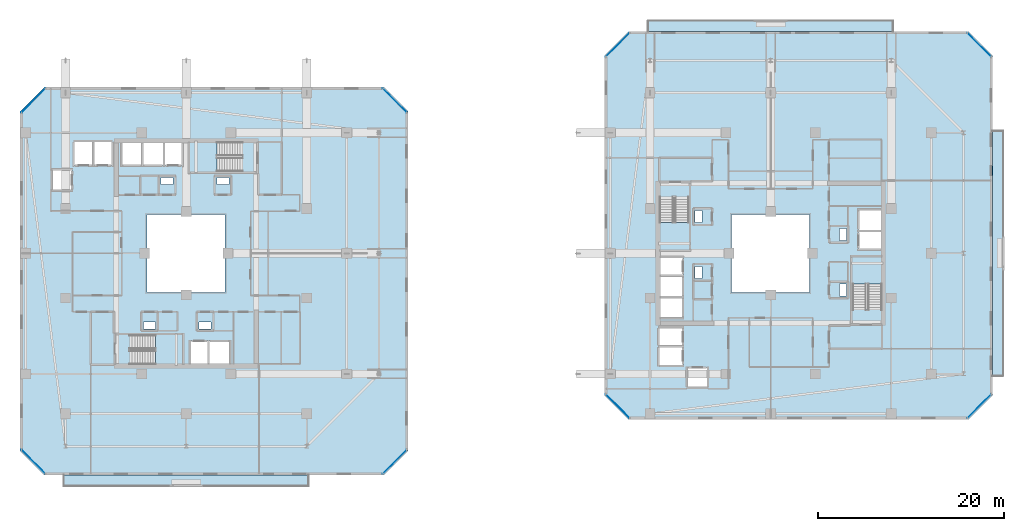
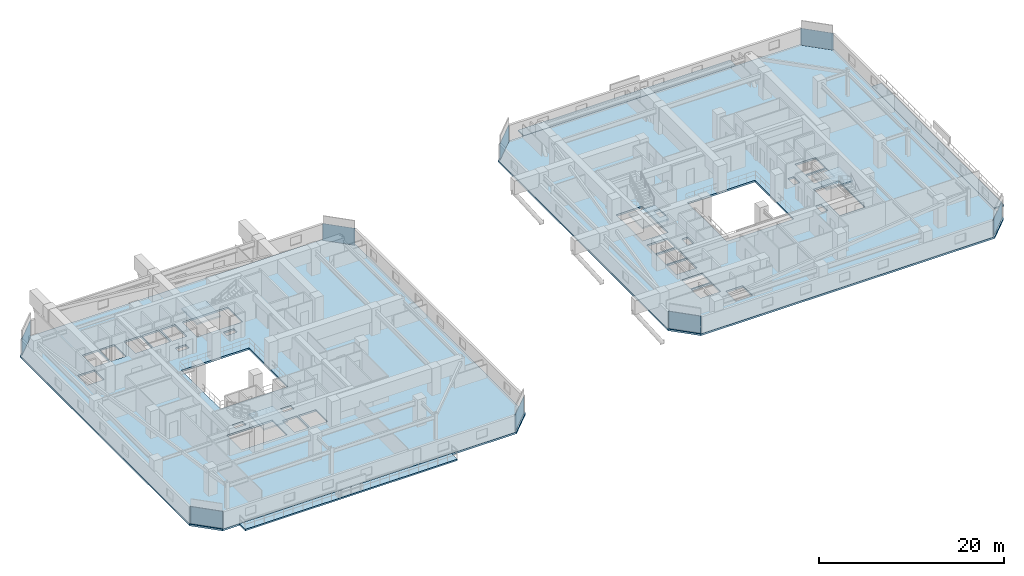
# One storey, part 18 of 36: 9 slabs, 8 plates, 12 elements without a shape of their own.
"""IFC4 building model written with IfcOpenShell, lengths in metres."""

import ifcopenshell
import ifcopenshell.guid

model = None  # the IFC model being written
_history = None  # IfcOwnerHistory: only IFC2X3 demands one
_inside = {}  # id of a spatial element -> (the spatial element, [elements in it])
_under = {}  # id of a project, library or spatial element -> (it, [spatial elements below it])
_declared = {}  # id of a project -> (the project, [libraries it declares])
_typed = {}  # id of a type object -> (the type object, [elements of that type])
_made_of = {}  # id of a material, layer set ... -> (it, [elements and type objects made of it])


def new_model(schema):
    """Start an empty IFC model of exactly this schema.

    Asked for "IFC4X3", IfcOpenShell would pick the latest addendum, in which some entities
    have other attributes; the version numbers below select the first issue.
    IFC2X3 requires an IfcOwnerHistory on every rooted entity: one is made here for all.
    """
    global model, _history
    if schema == "IFC4X3":
        model = ifcopenshell.file(schema_version=(4, 3, 0, 0))
    else:
        model = ifcopenshell.file(schema=schema)
    _inside.clear()
    _under.clear()
    _declared.clear()
    _typed.clear()
    _made_of.clear()
    _history = None
    if model.schema == "IFC2X3":
        org = make("IfcOrganization", Name="unknown")
        user = make(
            "IfcPersonAndOrganization",
            ThePerson=make("IfcPerson", FamilyName="unknown"),
            TheOrganization=org,
        )
        app = make(
            "IfcApplication",
            ApplicationDeveloper=org,
            Version="unknown",
            ApplicationFullName="unknown",
            ApplicationIdentifier="unknown",
        )
        _history = make(
            "IfcOwnerHistory",
            OwningUser=user,
            OwningApplication=app,
            ChangeAction="ADDED",
            CreationDate=0,
        )
    return model


def make(cls, **values):
    """One entity of the class cls with the attributes given. An attribute that is None is left unset."""
    return model.create_entity(
        cls, **{name: value for name, value in values.items() if value is not None}
    )


def rooted(cls, **values):
    """An entity with a GlobalId (a new one), such as an element, a storey or a relation."""
    return make(cls, GlobalId=ifcopenshell.guid.new(), OwnerHistory=_history, **values)


def si_unit(unit_type, name, prefix=None):
    """IfcSIUnit, for example si_unit("LENGTHUNIT", "METRE", prefix="MILLI")."""
    return make("IfcSIUnit", UnitType=unit_type, Prefix=prefix, Name=name)


def assignment(units):
    """IfcUnitAssignment: the units of a project."""
    return None if units is None else make("IfcUnitAssignment", Units=units)


def point(xyz):
    """IfcCartesianPoint."""
    return None if xyz is None else make("IfcCartesianPoint", Coordinates=xyz)


def direction(xyz):
    """IfcDirection."""
    return None if xyz is None else make("IfcDirection", DirectionRatios=xyz)


def frame(location, z_axis=None, x_axis=None):
    """IfcAxis2Placement3D, a coordinate frame: its origin and axes. An axis left out is left unset."""
    return make(
        "IfcAxis2Placement3D",
        Location=point(location),
        Axis=direction(z_axis),
        RefDirection=direction(x_axis),
    )


def frame_2d(location, x_axis=None):
    """IfcAxis2Placement2D, a coordinate frame in the plane: its origin and x axis."""
    return make(
        "IfcAxis2Placement2D", Location=point(location), RefDirection=direction(x_axis)
    )


def origin():
    """The frame at (0, 0, 0) with its axes left unset."""
    return frame((0.0, 0.0, 0.0))


def origin_2d():
    """The frame at (0, 0) in the plane with its x axis left unset."""
    return frame_2d((0.0, 0.0))


def place(relative_to, where):
    """IfcLocalPlacement: puts the frame where relative to a parent placement (None: the world)."""
    return make(
        "IfcLocalPlacement", PlacementRelTo=relative_to, RelativePlacement=where
    )


def context(
    kind, dimensions, precision=None, world=None, true_north=None, identifier=None
):
    """IfcGeometricRepresentationContext, for example the 3D "Model" context."""
    return make(
        "IfcGeometricRepresentationContext",
        ContextIdentifier=identifier,
        ContextType=kind,
        CoordinateSpaceDimension=dimensions,
        Precision=precision,
        WorldCoordinateSystem=world,
        TrueNorth=true_north,
    )


def subcontext(parent, identifier, kind, view, scale=None):
    """IfcGeometricRepresentationSubContext, for example "Body" below "Model"."""
    return make(
        "IfcGeometricRepresentationSubContext",
        ContextIdentifier=identifier,
        ContextType=kind,
        ParentContext=parent,
        TargetScale=scale,
        TargetView=view,
    )


def project(units=None, contexts=None):
    """IfcProject with its units and contexts."""
    return rooted(
        "IfcProject",
        Name="project",
        RepresentationContexts=contexts,
        UnitsInContext=assignment(units),
    )


def spatial(cls, under=None, at=None, **own):
    """A site, building, storey or space (cls), placed at a placement, below another one or the project."""
    s = rooted(cls, ObjectPlacement=at, **own)
    if under is not None:
        _under.setdefault(under.id(), (under, []))[1].append(s)
    return s


def polyline(points):
    """IfcPolyline through the points."""
    return make("IfcPolyline", Points=[point(p) for p in points])


def profile(cls, at=None, kind="AREA", **sizes):
    """A parametric profile (cls). Its sizes go by their IFC names, for example OverallWidth=200.0."""
    return make(cls, ProfileType=kind, Position=at, **sizes)


def rectangle(**sizes):
    """IfcRectangleProfileDef."""
    return profile("IfcRectangleProfileDef", **sizes)


def outline(outer, holes=None, kind="AREA"):
    """IfcArbitraryClosedProfileDef: a profile drawn as a closed curve; with holes, ...WithVoids."""
    if holes is None:
        return make("IfcArbitraryClosedProfileDef", ProfileType=kind, OuterCurve=outer)
    return make(
        "IfcArbitraryProfileDefWithVoids",
        ProfileType=kind,
        OuterCurve=outer,
        InnerCurves=holes,
    )


def extrude(swept, where, along, depth):
    """IfcExtrudedAreaSolid: the profile swept, set in the frame where, extruded along a direction by depth."""
    return make(
        "IfcExtrudedAreaSolid",
        SweptArea=swept,
        Position=where,
        ExtrudedDirection=direction(along),
        Depth=depth,
    )


def shape(context_of_items, identifier, shape_type, items):
    """IfcShapeRepresentation: the items that make up one representation, for example the "Body"."""
    return make(
        "IfcShapeRepresentation",
        ContextOfItems=context_of_items,
        RepresentationIdentifier=identifier,
        RepresentationType=shape_type,
        Items=items,
    )


def material(Name=None, Category=None):
    """IfcMaterial."""
    return make("IfcMaterial", Name=Name, Category=Category)


def layer(
    of_material, thickness, ventilated=None, Name=None, Category=None, Priority=None
):
    """IfcMaterialLayer: one layer of a wall or slab, of a material (None: an air gap)."""
    return make(
        "IfcMaterialLayer",
        Material=of_material,
        LayerThickness=thickness,
        IsVentilated=ventilated,
        Name=Name,
        Category=Category,
        Priority=Priority,
    )


def layer_set(layers, Name=None):
    """IfcMaterialLayerSet."""
    return make("IfcMaterialLayerSet", MaterialLayers=layers, LayerSetName=Name)


def made_of(thing, what):
    """Note that an element or type object is made of a material, layer set ...; save() writes the relation."""
    if what is not None:
        _made_of.setdefault(what.id(), (what, []))[1].append(thing)
    return thing


def type_object(cls, material=None, **own):
    """A type object (cls), such as IfcWallType, which elements share."""
    return made_of(rooted(cls, **own), material)


def element(
    cls,
    number,
    at=None,
    inside=None,
    cuts=None,
    type_object=None,
    material=None,
    context=None,
    identifier="Body",
    shape_type=None,
    held_by="IfcProductDefinitionShape",
    body=None,
    shapes=None,
    **own,
):
    """One element of the class cls, such as IfcWall. Its Tag is "e" and its number.

    at: its placement. inside: the storey or other place that contains it. cuts: it is an
    opening in that element (IfcRelVoidsElement). A single representation is given by context,
    identifier, shape_type and body (its items); several are given by shapes. held_by: the class
    of the entity that holds the representations. save() writes the other relations.
    """
    e = rooted(cls, Tag="e%d" % number, ObjectPlacement=at, **own)
    if body is not None:
        shapes = [shape(context, identifier, shape_type, body)]
    if shapes is not None:
        e.Representation = make(held_by, Representations=shapes)
    if inside is not None:
        _inside.setdefault(inside.id(), (inside, []))[1].append(e)
    if cuts is not None:
        rooted(
            "IfcRelVoidsElement", RelatingBuildingElement=cuts, RelatedOpeningElement=e
        )
    if type_object is not None:
        _typed.setdefault(type_object.id(), (type_object, []))[1].append(e)
    return made_of(e, material)


def aggregate(whole, parts):
    """IfcRelAggregates: a whole, such as a stair, and the parts it consists of."""
    return rooted("IfcRelAggregates", RelatingObject=whole, RelatedObjects=parts)


def save(model, path):
    """Write the relations noted so far, then the file.

    IfcRelAggregates (storeys below a building ...), IfcRelContainedInSpatialStructure (elements
    in a storey), IfcRelDefinesByType, IfcRelAssociatesMaterial and IfcRelDeclares: one each for
    every whole, place, type object, material and project.
    """
    for whole, parts in _under.values():
        aggregate(whole, parts)
    for where, things in _inside.values():
        rooted(
            "IfcRelContainedInSpatialStructure",
            RelatedElements=things,
            RelatingStructure=where,
        )
    for kind, things in _typed.values():
        rooted("IfcRelDefinesByType", RelatedObjects=things, RelatingType=kind)
    for what, things in _made_of.values():
        rooted("IfcRelAssociatesMaterial", RelatedObjects=things, RelatingMaterial=what)
    for by, libraries in _declared.values():
        rooted("IfcRelDeclares", RelatingContext=by, RelatedDefinitions=libraries)
    model.write(path)


model = new_model("IFC4")

# Units and contexts
model_context = context("Model", 3, precision=1e-05, world=origin(), true_north=direction((0.0, 1.0)))
body_context = subcontext(model_context, "Body", "Model", "MODEL_VIEW")
ifc_project = project(units=[si_unit("LENGTHUNIT", "METRE"), si_unit("AREAUNIT", "SQUARE_METRE"), si_unit("VOLUMEUNIT", "CUBIC_METRE"), si_unit("PLANEANGLEUNIT", "RADIAN"), si_unit("MASSUNIT", "GRAM", prefix="KILO")], contexts=[model_context])

# Site, building, storey
site_placement = place(None, origin())
site = spatial("IfcSite", under=ifc_project, at=site_placement, CompositionType="ELEMENT")
building_placement = place(site_placement, origin())
building = spatial("IfcBuilding", under=site, at=building_placement, Name="Thornwick Lancets Civic Towers", CompositionType="ELEMENT")
storey_placement = place(building_placement, frame((0.0, 0.0, 170.699951171875)))
storey = spatial("IfcBuildingStorey", under=building, at=storey_placement, Name="L45", CompositionType="ELEMENT", Elevation=170.699951171875)

# Curtain wall, plate
ifc_material_1 = material(Name="Mid-zone chamfered-corner unitised glass curtain wall", Category="glass")
curtain_wall_type = type_object("IfcCurtainWallType", Name="CW_SYS_04", PredefinedType="NOTDEFINED", material=ifc_material_1)
curtain_wall_1_placement = place(storey_placement, origin())
curtain_wall_1 = element("IfcCurtainWall", 1, at=curtain_wall_1_placement, inside=storey, type_object=curtain_wall_type, Name="L45 Curtain Wall CW-L45-A-E1", PredefinedType="NOTDEFINED")
ifc_material_2 = material(Name="Low-e double glazing clear glass", Category="glass")
ifc_layer_1 = layer(ifc_material_2, 0.035888671875, Name="Low-e double glazing clear glass")
ifc_layer_set_1 = layer_set([ifc_layer_1], Name="Low-e double glazing clear glass")
plate_type = type_object("IfcPlateType", Name="CW_PNL_GLASS", PredefinedType="CURTAIN_PANEL", material=ifc_layer_set_1)
plate_1_placement = place(storey_placement, frame((47.972900390625, 4.527099609375, 0.0), z_axis=(0.0, 0.0, 1.0), x_axis=(0.707106781187, 0.707106781187, 0.0)))
plate_1 = element("IfcPlate", 2, at=plate_1_placement, type_object=plate_type, Name="CW-L45-A-E1 Panel 0", PredefinedType="CURTAIN_PANEL", context=body_context, shape_type="SweptSolid", body=[
    extrude(rectangle(XDim=3.649169921875, YDim=0.035888671875, at=origin_2d()), origin(), (0.0, 0.0, 1.0), 2.219970703125),
])
aggregate(curtain_wall_1, [plate_1])

curtain_wall_2_placement = place(storey_placement, origin())
curtain_wall_2 = element("IfcCurtainWall", 3, at=curtain_wall_2_placement, inside=storey, type_object=curtain_wall_type, Name="L45 Curtain Wall CW-L45-A-E3", PredefinedType="NOTDEFINED")
plate_2_placement = place(storey_placement, frame((47.972900390625, 43.472900390625, 0.0), z_axis=(0.0, 0.0, 1.0), x_axis=(-0.707106781187, 0.707106781187, 0.0)))
plate_2 = element("IfcPlate", 4, at=plate_2_placement, type_object=plate_type, Name="CW-L45-A-E3 Panel 0", PredefinedType="CURTAIN_PANEL", context=body_context, shape_type="SweptSolid", body=[
    extrude(rectangle(XDim=3.649169921875, YDim=0.035888671875, at=origin_2d()), origin(), (0.0, 0.0, 1.0), 2.219970703125),
])
aggregate(curtain_wall_2, [plate_2])

curtain_wall_3_placement = place(storey_placement, origin())
curtain_wall_3 = element("IfcCurtainWall", 5, at=curtain_wall_3_placement, inside=storey, type_object=curtain_wall_type, Name="L45 Curtain Wall CW-L45-A-E5", PredefinedType="NOTDEFINED")
plate_3_placement = place(storey_placement, frame((9.027099609375, 43.472900390625, 0.0), z_axis=(0.0, 0.0, 1.0), x_axis=(-0.707106781187, -0.707106781187, 0.0)))
plate_3 = element("IfcPlate", 6, at=plate_3_placement, type_object=plate_type, Name="CW-L45-A-E5 Panel 0", PredefinedType="CURTAIN_PANEL", context=body_context, shape_type="SweptSolid", body=[
    extrude(rectangle(XDim=3.649169921875, YDim=0.035888671875, at=origin_2d()), origin(), (0.0, 0.0, 1.0), 2.219970703125),
])
aggregate(curtain_wall_3, [plate_3])

curtain_wall_4_placement = place(storey_placement, origin())
curtain_wall_4 = element("IfcCurtainWall", 7, at=curtain_wall_4_placement, inside=storey, type_object=curtain_wall_type, Name="L45 Curtain Wall CW-L45-A-E7", PredefinedType="NOTDEFINED")
plate_4_placement = place(storey_placement, frame((9.027099609375, 4.527099609375, 0.0), z_axis=(0.0, 0.0, 1.0), x_axis=(0.707106781187, -0.707106781187, 0.0)))
plate_4 = element("IfcPlate", 8, at=plate_4_placement, type_object=plate_type, Name="CW-L45-A-E7 Panel 0", PredefinedType="CURTAIN_PANEL", context=body_context, shape_type="SweptSolid", body=[
    extrude(rectangle(XDim=3.649169921875, YDim=0.035888671875, at=origin_2d()), origin(), (0.0, 0.0, 1.0), 2.219970703125),
])
aggregate(curtain_wall_4, [plate_4])

curtain_wall_5_placement = place(storey_placement, origin())
curtain_wall_5 = element("IfcCurtainWall", 9, at=curtain_wall_5_placement, inside=storey, type_object=curtain_wall_type, Name="L45 Curtain Wall CW-L45-B-E1", PredefinedType="NOTDEFINED")
plate_5_placement = place(storey_placement, frame((110.972900390625, 10.527099609375, 0.0), z_axis=(0.0, 0.0, 1.0), x_axis=(0.707106781187, 0.707106781187, 0.0)))
plate_5 = element("IfcPlate", 10, at=plate_5_placement, type_object=plate_type, Name="CW-L45-B-E1 Panel 0", PredefinedType="CURTAIN_PANEL", context=body_context, shape_type="SweptSolid", body=[
    extrude(rectangle(XDim=3.649169921875, YDim=0.035888671875, at=origin_2d()), origin(), (0.0, 0.0, 1.0), 2.219970703125),
])
aggregate(curtain_wall_5, [plate_5])

curtain_wall_6_placement = place(storey_placement, origin())
curtain_wall_6 = element("IfcCurtainWall", 11, at=curtain_wall_6_placement, inside=storey, type_object=curtain_wall_type, Name="L45 Curtain Wall CW-L45-B-E3", PredefinedType="NOTDEFINED")
plate_6_placement = place(storey_placement, frame((110.972900390625, 49.472900390625, 0.0), z_axis=(0.0, 0.0, 1.0), x_axis=(-0.707106781187, 0.707106781187, 0.0)))
plate_6 = element("IfcPlate", 12, at=plate_6_placement, type_object=plate_type, Name="CW-L45-B-E3 Panel 0", PredefinedType="CURTAIN_PANEL", context=body_context, shape_type="SweptSolid", body=[
    extrude(rectangle(XDim=3.649169921875, YDim=0.035888671875, at=origin_2d()), origin(), (0.0, 0.0, 1.0), 2.219970703125),
])
aggregate(curtain_wall_6, [plate_6])

curtain_wall_7_placement = place(storey_placement, origin())
curtain_wall_7 = element("IfcCurtainWall", 13, at=curtain_wall_7_placement, inside=storey, type_object=curtain_wall_type, Name="L45 Curtain Wall CW-L45-B-E5", PredefinedType="NOTDEFINED")
plate_7_placement = place(storey_placement, frame((72.027099609375, 49.472900390625, 0.0), z_axis=(0.0, 0.0, 1.0), x_axis=(-0.707106781187, -0.707106781187, 0.0)))
plate_7 = element("IfcPlate", 14, at=plate_7_placement, type_object=plate_type, Name="CW-L45-B-E5 Panel 0", PredefinedType="CURTAIN_PANEL", context=body_context, shape_type="SweptSolid", body=[
    extrude(rectangle(XDim=3.649169921875, YDim=0.035888671875, at=origin_2d()), origin(), (0.0, 0.0, 1.0), 2.219970703125),
])
aggregate(curtain_wall_7, [plate_7])

curtain_wall_8_placement = place(storey_placement, origin())
curtain_wall_8 = element("IfcCurtainWall", 15, at=curtain_wall_8_placement, inside=storey, type_object=curtain_wall_type, Name="L45 Curtain Wall CW-L45-B-E7", PredefinedType="NOTDEFINED")
plate_8_placement = place(storey_placement, frame((72.027099609375, 10.527099609375, 0.0), z_axis=(0.0, 0.0, 1.0), x_axis=(0.707106781187, -0.707106781187, 0.0)))
plate_8 = element("IfcPlate", 16, at=plate_8_placement, type_object=plate_type, Name="CW-L45-B-E7 Panel 0", PredefinedType="CURTAIN_PANEL", context=body_context, shape_type="SweptSolid", body=[
    extrude(rectangle(XDim=3.649169921875, YDim=0.035888671875, at=origin_2d()), origin(), (0.0, 0.0, 1.0), 2.219970703125),
])
aggregate(curtain_wall_8, [plate_8])

# Slabs
ifc_material_3 = material(Name="Post-tensioned concrete C40/50", Category="concrete")
ifc_layer_2 = layer(ifc_material_3, 0.199951171875, Name="Post-tensioned concrete C40/50")
ifc_layer_set_2 = layer_set([ifc_layer_2], Name="Post-tensioned concrete C40/50")
slab_type_1 = type_object("IfcSlabType", Name="SLAB_BALCONY_200", PredefinedType="FLOOR", material=ifc_layer_set_2)
slab_1_placement = place(storey_placement, frame((0.0, 0.0, -0.199951171875)))
element("IfcSlab", 17, at=slab_1_placement, inside=storey, type_object=slab_type_1, Name="L45 Tower A Planted Balcony Slab S", PredefinedType="FLOOR", context=body_context, shape_type="SweptSolid", body=[
    extrude(outline(polyline([(12.300048828125, 1.85009765625), (38.699951171875, 1.85009765625), (38.699951171875, 3.10009765625), (12.300048828125, 3.10009765625), (12.300048828125, 1.85009765625)])), origin(), (0.0, 0.0, 1.0), 0.199951171875),
])
slab_2_placement = place(storey_placement, frame((0.0, 0.0, -0.199951171875)))
element("IfcSlab", 18, at=slab_2_placement, inside=storey, type_object=slab_type_1, Name="L45 Tower B Planted Balcony Slab E", PredefinedType="FLOOR", context=body_context, shape_type="SweptSolid", body=[
    extrude(outline(polyline([(112.39990234375, 13.800048828125), (113.64990234375, 13.800048828125), (113.64990234375, 40.199951171875), (112.39990234375, 40.199951171875), (112.39990234375, 13.800048828125)])), origin(), (0.0, 0.0, 1.0), 0.199951171875),
])
slab_3_placement = place(storey_placement, frame((0.0, 0.0, -0.199951171875)))
element("IfcSlab", 19, at=slab_3_placement, inside=storey, type_object=slab_type_1, Name="L45 Tower B Planted Balcony Slab N", PredefinedType="FLOOR", context=body_context, shape_type="SweptSolid", body=[
    extrude(outline(polyline([(75.300048828125, 50.89990234375), (101.699951171875, 50.89990234375), (101.699951171875, 52.14990234375), (75.300048828125, 52.14990234375), (75.300048828125, 50.89990234375)])), origin(), (0.0, 0.0, 1.0), 0.199951171875),
])

# Stair, slab
ifc_material_4 = material(Name="Concrete C40/50", Category="concrete")
stair_type = type_object("IfcStairType", Name="STAIR_DL_3600", PredefinedType="HALF_TURN_STAIR", material=ifc_material_4)
stair_1_placement = place(storey_placement, origin())
stair_1 = element("IfcStair", 20, at=stair_1_placement, inside=storey, type_object=stair_type, Name="L45 Tower A South Exit Stair ST-A1", PredefinedType="HALF_TURN_STAIR")
ifc_layer_3 = layer(ifc_material_4, 0.25, Name="Concrete C40/50")
ifc_layer_set_3 = layer_set([ifc_layer_3], Name="Concrete C40/50")
slab_type_2 = type_object("IfcSlabType", Name="SLAB_LANDING_200", PredefinedType="LANDING", material=ifc_layer_set_3)
slab_4_placement = place(storey_placement, frame((0.0, 0.0, 1.60302734375)))
slab_4 = element("IfcSlab", 21, at=slab_4_placement, type_object=slab_type_2, Name="ST-A1 landing 1", PredefinedType="LANDING", context=body_context, shape_type="SweptSolid", body=[
    extrude(outline(polyline([(22.169921875, 14.93994140625), (25.14990234375, 14.93994140625), (25.14990234375, 18.260009765625), (22.169921875, 18.260009765625), (22.169921875, 14.93994140625)])), origin(), (0.0, 0.0, 1.0), 0.199951171875),
])
aggregate(stair_1, [slab_4])

stair_2_placement = place(storey_placement, origin())
stair_2 = element("IfcStair", 22, at=stair_2_placement, inside=storey, type_object=stair_type, Name="L45 Tower A North Exit Stair ST-A2", PredefinedType="HALF_TURN_STAIR")
slab_5_placement = place(storey_placement, frame((0.0, 0.0, 1.60302734375)))
slab_5 = element("IfcSlab", 23, at=slab_5_placement, type_object=slab_type_2, Name="ST-A2 landing 1", PredefinedType="LANDING", context=body_context, shape_type="SweptSolid", body=[
    extrude(outline(polyline([(28.830078125, 39.06005859375), (25.85009765625, 39.06005859375), (25.85009765625, 35.739990234375), (28.830078125, 35.739990234375), (28.830078125, 39.06005859375)])), origin(), (0.0, 0.0, 1.0), 0.199951171875),
])
aggregate(stair_2, [slab_5])

stair_3_placement = place(storey_placement, origin())
stair_3 = element("IfcStair", 24, at=stair_3_placement, inside=storey, type_object=stair_type, Name="L45 Tower B East Exit Stair ST-B1", PredefinedType="HALF_TURN_STAIR")
slab_6_placement = place(storey_placement, frame((0.0, 0.0, 1.60302734375)))
slab_6 = element("IfcSlab", 25, at=slab_6_placement, type_object=slab_type_2, Name="ST-B1 landing 1", PredefinedType="LANDING", context=body_context, shape_type="SweptSolid", body=[
    extrude(outline(polyline([(100.56005859375, 23.669921875), (100.56005859375, 26.64990234375), (97.239990234375, 26.64990234375), (97.239990234375, 23.669921875), (100.56005859375, 23.669921875)])), origin(), (0.0, 0.0, 1.0), 0.199951171875),
])
aggregate(stair_3, [slab_6])

stair_4_placement = place(storey_placement, origin())
stair_4 = element("IfcStair", 26, at=stair_4_placement, inside=storey, type_object=stair_type, Name="L45 Tower B West Exit Stair ST-B2", PredefinedType="HALF_TURN_STAIR")
slab_7_placement = place(storey_placement, frame((0.0, 0.0, 1.60302734375)))
slab_7 = element("IfcSlab", 27, at=slab_7_placement, type_object=slab_type_2, Name="ST-B2 landing 1", PredefinedType="LANDING", context=body_context, shape_type="SweptSolid", body=[
    extrude(outline(polyline([(76.43994140625, 30.330078125), (76.43994140625, 27.35009765625), (79.760009765625, 27.35009765625), (79.760009765625, 30.330078125), (76.43994140625, 30.330078125)])), origin(), (0.0, 0.0, 1.0), 0.199951171875),
])
aggregate(stair_4, [slab_7])

# Slabs
ifc_layer_4 = layer(ifc_material_3, 0.239990234375, Name="Post-tensioned concrete C40/50")
ifc_layer_set_4 = layer_set([ifc_layer_4], Name="Post-tensioned concrete C40/50")
slab_type_3 = type_object("IfcSlabType", Name="SLAB_PT_240", PredefinedType="FLOOR", material=ifc_layer_set_4)
slab_8_placement = place(storey_placement, frame((0.0, 0.0, -0.239990234375)))
element("IfcSlab", 28, at=slab_8_placement, inside=storey, type_object=slab_type_3, Name="L45 Tower A Floor Slab", PredefinedType="FLOOR", context=body_context, shape_type="SweptSolid", body=[
    extrude(outline(polyline([(10.199951171875, 3.10009765625), (46.800048828125, 3.10009765625), (49.39990234375, 5.699951171875), (49.39990234375, 42.300048828125), (46.800048828125, 44.89990234375), (10.199951171875, 44.89990234375), (7.60009765625, 42.300048828125), (7.60009765625, 5.699951171875), (10.199951171875, 3.10009765625)]), holes=[polyline([(21.300048828125, 22.800048828125), (29.699951171875, 22.800048828125), (29.699951171875, 31.199951171875), (21.300048828125, 31.199951171875), (21.300048828125, 22.800048828125)]), polyline([(19.429931640625, 15.0), (25.10009765625, 15.0), (25.10009765625, 18.199951171875), (19.429931640625, 18.199951171875), (19.429931640625, 15.0)]), polyline([(31.570068359375, 39.0), (25.89990234375, 39.0), (25.89990234375, 35.800048828125), (31.570068359375, 35.800048828125), (31.570068359375, 39.0)]), polyline([(26.0, 15.0), (27.800048828125, 15.0), (27.800048828125, 17.550048828125), (26.0, 17.550048828125), (26.0, 15.0)]), polyline([(28.0, 15.0), (30.14990234375, 15.0), (30.14990234375, 17.550048828125), (28.0, 17.550048828125), (28.0, 15.0)]), polyline([(23.199951171875, 36.449951171875), (25.0, 36.449951171875), (25.0, 39.0), (23.199951171875, 39.0), (23.199951171875, 36.449951171875)]), polyline([(20.85009765625, 36.449951171875), (23.0, 36.449951171875), (23.0, 39.0), (20.85009765625, 39.0), (20.85009765625, 36.449951171875)]), polyline([(18.60009765625, 36.449951171875), (20.699951171875, 36.449951171875), (20.699951171875, 39.0), (18.60009765625, 39.0), (18.60009765625, 36.449951171875)]), polyline([(15.550048828125, 36.449951171875), (17.449951171875, 36.449951171875), (17.449951171875, 39.0), (15.550048828125, 39.0), (15.550048828125, 36.449951171875)]), polyline([(13.449951171875, 36.449951171875), (15.39990234375, 36.449951171875), (15.39990234375, 39.0), (13.449951171875, 39.0), (13.449951171875, 36.449951171875)]), polyline([(11.10009765625, 33.85009765625), (13.199951171875, 33.85009765625), (13.199951171875, 35.949951171875), (11.10009765625, 35.949951171875), (11.10009765625, 33.85009765625)]), polyline([(26.89990234375, 18.85009765625), (28.199951171875, 18.85009765625), (28.199951171875, 19.580078125), (26.89990234375, 19.580078125), (26.89990234375, 18.85009765625)]), polyline([(20.89990234375, 18.85009765625), (22.199951171875, 18.85009765625), (22.199951171875, 19.580078125), (20.89990234375, 19.580078125), (20.89990234375, 18.85009765625)]), polyline([(22.800048828125, 34.419921875), (24.10009765625, 34.419921875), (24.10009765625, 35.14990234375), (22.800048828125, 35.14990234375), (22.800048828125, 34.419921875)]), polyline([(28.800048828125, 34.419921875), (30.10009765625, 34.419921875), (30.10009765625, 35.14990234375), (28.800048828125, 35.14990234375), (28.800048828125, 34.419921875)])]), origin(), (0.0, 0.0, 1.0), 0.239990234375),
])
slab_9_placement = place(storey_placement, frame((0.0, 0.0, -0.239990234375)))
element("IfcSlab", 29, at=slab_9_placement, inside=storey, type_object=slab_type_3, Name="L45 Tower B Floor Slab", PredefinedType="FLOOR", context=body_context, shape_type="SweptSolid", body=[
    extrude(outline(polyline([(73.199951171875, 9.10009765625), (109.800048828125, 9.10009765625), (112.39990234375, 11.699951171875), (112.39990234375, 48.300048828125), (109.800048828125, 50.89990234375), (73.199951171875, 50.89990234375), (70.60009765625, 48.300048828125), (70.60009765625, 11.699951171875), (73.199951171875, 9.10009765625)]), holes=[polyline([(84.300048828125, 22.800048828125), (92.699951171875, 22.800048828125), (92.699951171875, 31.199951171875), (84.300048828125, 31.199951171875), (84.300048828125, 22.800048828125)]), polyline([(100.5, 20.929931640625), (100.5, 26.60009765625), (97.300048828125, 26.60009765625), (97.300048828125, 20.929931640625), (100.5, 20.929931640625)]), polyline([(76.5, 33.070068359375), (76.5, 27.39990234375), (79.699951171875, 27.39990234375), (79.699951171875, 33.070068359375), (76.5, 33.070068359375)]), polyline([(97.949951171875, 27.5), (100.5, 27.5), (100.5, 29.300048828125), (97.949951171875, 29.300048828125), (97.949951171875, 27.5)]), polyline([(97.949951171875, 29.5), (100.5, 29.5), (100.5, 31.64990234375), (97.949951171875, 31.64990234375), (97.949951171875, 29.5)]), polyline([(76.5, 24.699951171875), (79.050048828125, 24.699951171875), (79.050048828125, 26.5), (76.5, 26.5), (76.5, 24.699951171875)]), polyline([(76.5, 22.35009765625), (79.050048828125, 22.35009765625), (79.050048828125, 24.5), (76.5, 24.5), (76.5, 22.35009765625)]), polyline([(76.5, 20.10009765625), (79.050048828125, 20.10009765625), (79.050048828125, 22.199951171875), (76.5, 22.199951171875), (76.5, 20.10009765625)]), polyline([(76.5, 17.050048828125), (79.050048828125, 17.050048828125), (79.050048828125, 18.949951171875), (76.5, 18.949951171875), (76.5, 17.050048828125)]), polyline([(76.5, 14.949951171875), (79.050048828125, 14.949951171875), (79.050048828125, 16.89990234375), (76.5, 16.89990234375), (76.5, 14.949951171875)]), polyline([(79.550048828125, 12.60009765625), (81.64990234375, 12.60009765625), (81.64990234375, 14.699951171875), (79.550048828125, 14.699951171875), (79.550048828125, 12.60009765625)]), polyline([(95.919921875, 28.39990234375), (96.64990234375, 28.39990234375), (96.64990234375, 29.699951171875), (95.919921875, 29.699951171875), (95.919921875, 28.39990234375)]), polyline([(95.919921875, 22.39990234375), (96.64990234375, 22.39990234375), (96.64990234375, 23.699951171875), (95.919921875, 23.699951171875), (95.919921875, 22.39990234375)]), polyline([(80.35009765625, 24.300048828125), (81.080078125, 24.300048828125), (81.080078125, 25.60009765625), (80.35009765625, 25.60009765625), (80.35009765625, 24.300048828125)]), polyline([(80.35009765625, 30.300048828125), (81.080078125, 30.300048828125), (81.080078125, 31.60009765625), (80.35009765625, 31.60009765625), (80.35009765625, 30.300048828125)])]), origin(), (0.0, 0.0, 1.0), 0.239990234375),
])

save(model, "model.ifc")
